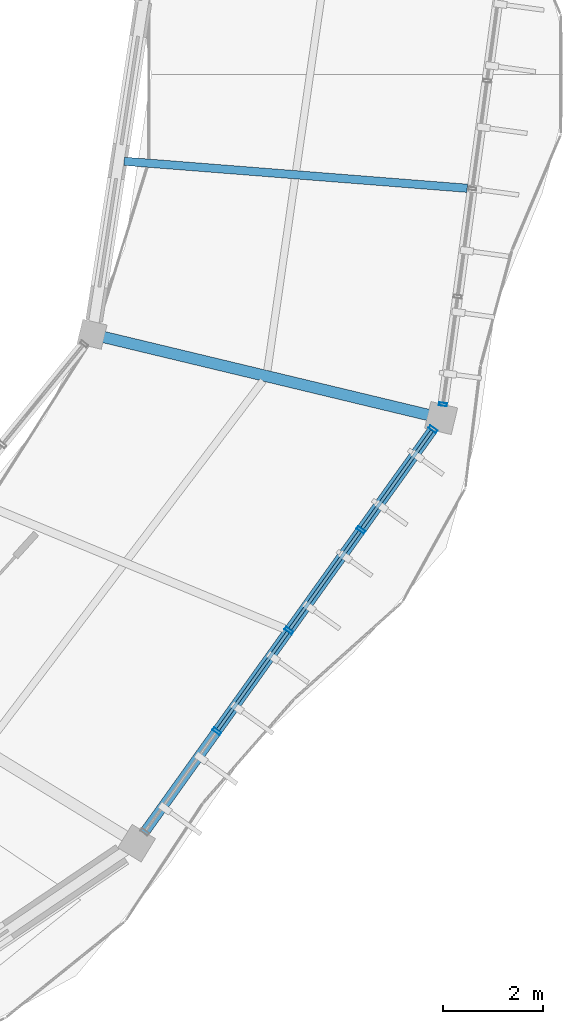
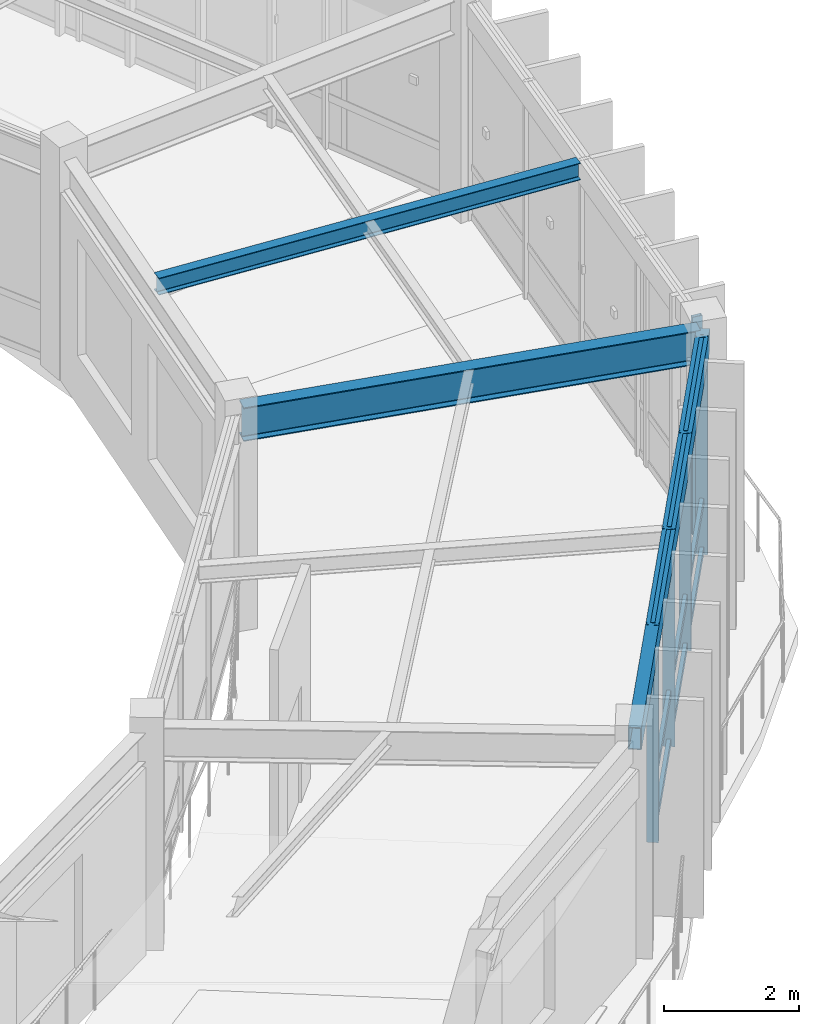
# One storey, part 50 of 79: 14 members, 3 beams, 2 elements without a shape of their own.
"""IFC4 building model written with IfcOpenShell, lengths in metres."""

from ifc_helpers import new_model, si_unit, direction, frame, origin, origin_2d, place, context, subcontext, project, spatial, hollow_rectangle, i_section, extrude, material, material_profile, profile_set, type_object, element, aggregate, save


model = new_model("IFC4")

# Units and contexts
model_context = context("Model", 3, precision=1e-05, world=origin(), true_north=direction((0.0, 1.0)))
body_context = subcontext(model_context, "Body", "Model", "MODEL_VIEW")
ifc_project = project(units=[si_unit("LENGTHUNIT", "METRE"), si_unit("AREAUNIT", "SQUARE_METRE"), si_unit("VOLUMEUNIT", "CUBIC_METRE"), si_unit("PLANEANGLEUNIT", "RADIAN"), si_unit("MASSUNIT", "GRAM", prefix="KILO"), si_unit("THERMODYNAMICTEMPERATUREUNIT", "KELVIN"), si_unit("POWERUNIT", "WATT")], contexts=[model_context])

# Site, building, storey
site_placement = place(None, origin())
site = spatial("IfcSite", under=ifc_project, at=site_placement, CompositionType="ELEMENT")
building_placement = place(site_placement, origin())
building = spatial("IfcBuilding", under=site, at=building_placement, Name="Darbajah Civic Hall", CompositionType="ELEMENT")
storey_placement = place(building_placement, frame((0.0, 0.0, 22.199951171875)))
storey = spatial("IfcBuildingStorey", under=building, at=storey_placement, Name="L05", CompositionType="ELEMENT", Elevation=22.199951171875)

# Curtain wall, member
ifc_material_1 = material(Name="Anodised Bronze Aluminium and Low-E Glazing", Category="aluminium")
curtain_wall_type_1 = type_object("IfcCurtainWallType", Name="Unitised Curtain Wall CW-76 8700x3900", PredefinedType="USERDEFINED", material=ifc_material_1)
curtain_wall_1_placement = place(storey_placement, origin())
curtain_wall_1 = element("IfcCurtainWall", 1, at=curtain_wall_1_placement, inside=storey, type_object=curtain_wall_type_1, Name="L05 unitised curtain wall CW-V1O-L05-19", ObjectType="UNITISED CURTAIN WALL", PredefinedType="USERDEFINED")
ifc_material_2 = material(Name="Anodised Bronze Aluminium", Category="aluminium")
ifc_material_profile_1 = material_profile(ifc_material_2, hollow_rectangle(XDim=0.06005859375, YDim=0.159912109375, WallThickness=0.00341796875, at=origin_2d()), Name="ALU MULLION 60x160")
ifc_profile_set_1 = profile_set([ifc_material_profile_1], Name="Anodised Bronze Aluminium")
member_type_1 = type_object("IfcMemberType", Name="ALU MULLION 60x160", PredefinedType="MULLION", material=ifc_profile_set_1)
member_1_placement = place(storey_placement, frame((138.728271484375, 83.18798828125, 0.0), z_axis=(0.0, 0.0, 1.0), x_axis=(0.134850930274, 0.990865897387, 0.0)))
member_1 = element("IfcMember", 2, at=member_1_placement, type_object=member_type_1, Name="CW-V1O-L05-19 mullion 1", PredefinedType="MULLION", context=body_context, shape_type="SweptSolid", body=[
    extrude(hollow_rectangle(XDim=0.06005859375, YDim=0.159912109375, WallThickness=0.00341796875, at=origin_2d()), origin(), (0.0, 0.0, 1.0), 3.920166015625),
])
aggregate(curtain_wall_1, [member_1])

# Curtain wall, members
curtain_wall_type_2 = type_object("IfcCurtainWallType", Name="Unitised Curtain Wall CW-74 9900x3900", PredefinedType="USERDEFINED", material=ifc_material_1)
curtain_wall_2_placement = place(storey_placement, origin())
curtain_wall_2 = element("IfcCurtainWall", 3, at=curtain_wall_2_placement, inside=storey, type_object=curtain_wall_type_2, Name="L05 unitised curtain wall CW-V1O-L05-18", ObjectType="UNITISED CURTAIN WALL", PredefinedType="USERDEFINED")
ifc_material_profile_2 = material_profile(ifc_material_2, hollow_rectangle(XDim=0.06494140625, YDim=0.179931640625, WallThickness=0.00390625, at=origin_2d()), Name="ALU MULLION 65x180")
ifc_profile_set_2 = profile_set([ifc_material_profile_2], Name="Anodised Bronze Aluminium")
member_type_2 = type_object("IfcMemberType", Name="ALU MULLION 65x180", PredefinedType="MULLION", material=ifc_profile_set_2)
member_2_placement = place(storey_placement, frame((134.19189453125, 76.630615234375, 0.0), z_axis=(0.0, 0.0, 1.0), x_axis=(0.582264874145, 0.812999149039, 0.0)))
member_2 = element("IfcMember", 4, at=member_2_placement, type_object=member_type_2, Name="CW-V1O-L05-18 mullion 2", PredefinedType="MULLION", context=body_context, shape_type="SweptSolid", body=[
    extrude(hollow_rectangle(XDim=0.06494140625, YDim=0.179931640625, WallThickness=0.00390625, at=origin_2d()), origin(), (0.0, 0.0, 1.0), 3.920166015625),
])
member_3_placement = place(storey_placement, frame((135.6376953125, 78.64990234375, 0.0), z_axis=(0.0, 0.0, 1.0), x_axis=(0.582264874145, 0.812999149039, 0.0)))
member_3 = element("IfcMember", 5, at=member_3_placement, type_object=member_type_2, Name="CW-V1O-L05-18 mullion 3", PredefinedType="MULLION", context=body_context, shape_type="SweptSolid", body=[
    extrude(hollow_rectangle(XDim=0.06494140625, YDim=0.179931640625, WallThickness=0.00390625, at=origin_2d()), origin(), (0.0, 0.0, 1.0), 3.920166015625),
])
member_4_placement = place(storey_placement, frame((137.083740234375, 80.6689453125, 0.0), z_axis=(0.0, 0.0, 1.0), x_axis=(0.582264874145, 0.812999149039, 0.0)))
member_4 = element("IfcMember", 6, at=member_4_placement, type_object=member_type_2, Name="CW-V1O-L05-18 mullion 4", PredefinedType="MULLION", context=body_context, shape_type="SweptSolid", body=[
    extrude(hollow_rectangle(XDim=0.06494140625, YDim=0.179931640625, WallThickness=0.00390625, at=origin_2d()), origin(), (0.0, 0.0, 1.0), 3.920166015625),
])
member_5_placement = place(storey_placement, frame((138.529541015625, 82.688232421875, 0.0), z_axis=(0.0, 0.0, 1.0), x_axis=(0.582264874145, 0.812999149039, 0.0)))
member_5 = element("IfcMember", 7, at=member_5_placement, type_object=member_type_2, Name="CW-V1O-L05-18 mullion 5", PredefinedType="MULLION", context=body_context, shape_type="SweptSolid", body=[
    extrude(hollow_rectangle(XDim=0.06494140625, YDim=0.179931640625, WallThickness=0.00390625, at=origin_2d()), origin(), (0.0, 0.0, 1.0), 3.920166015625),
])
ifc_material_profile_3 = material_profile(ifc_material_2, hollow_rectangle(XDim=0.06494140625, YDim=0.139892578125, WallThickness=0.00341796875, at=origin_2d()), Name="ALU TRANSOM 65x140")
ifc_profile_set_3 = profile_set([ifc_material_profile_3], Name="Anodised Bronze Aluminium")
member_type_3 = type_object("IfcMemberType", Name="ALU TRANSOM 65x140", PredefinedType="USERDEFINED", material=ifc_profile_set_3)
member_6_placement = place(storey_placement, frame((134.213623046875, 76.6611328125, 0.070068359375), z_axis=(0.582225363718, 0.813027444705, 0.0), x_axis=(-0.813027444705, 0.582225363718, 0.0)))
member_6 = element("IfcMember", 8, at=member_6_placement, type_object=member_type_3, Name="CW-V1O-L05-18 transom 2.1", ObjectType="TRANSOM", PredefinedType="USERDEFINED", context=body_context, shape_type="SweptSolid", body=[
    extrude(hollow_rectangle(XDim=0.06494140625, YDim=0.139892578125, WallThickness=0.00341796875, at=origin_2d()), origin(), (0.0, 0.0, 1.0), 2.40869140625),
])
member_7_placement = place(storey_placement, frame((134.213623046875, 76.6611328125, 0.949951171875), z_axis=(0.582225363718, 0.813027444705, 0.0), x_axis=(-0.813027444705, 0.582225363718, 0.0)))
member_7 = element("IfcMember", 9, at=member_7_placement, type_object=member_type_3, Name="CW-V1O-L05-18 transom 2.2", ObjectType="TRANSOM", PredefinedType="USERDEFINED", context=body_context, shape_type="SweptSolid", body=[
    extrude(hollow_rectangle(XDim=0.06494140625, YDim=0.139892578125, WallThickness=0.00341796875, at=origin_2d()), origin(), (0.0, 0.0, 1.0), 2.40869140625),
])
member_8_placement = place(storey_placement, frame((134.213623046875, 76.6611328125, 3.85009765625), z_axis=(0.582225363718, 0.813027444705, 0.0), x_axis=(-0.813027444705, 0.582225363718, 0.0)))
member_8 = element("IfcMember", 10, at=member_8_placement, type_object=member_type_3, Name="CW-V1O-L05-18 transom 2.3", ObjectType="TRANSOM", PredefinedType="USERDEFINED", context=body_context, shape_type="SweptSolid", body=[
    extrude(hollow_rectangle(XDim=0.06494140625, YDim=0.139892578125, WallThickness=0.00341796875, at=origin_2d()), origin(), (0.0, 0.0, 1.0), 2.40869140625),
])
member_9_placement = place(storey_placement, frame((135.65966796875, 78.680419921875, 0.070068359375), z_axis=(0.582206340382, 0.813041067363, 0.0), x_axis=(-0.813041067363, 0.582206340382, 0.0)))
member_9 = element("IfcMember", 11, at=member_9_placement, type_object=member_type_3, Name="CW-V1O-L05-18 transom 3.1", ObjectType="TRANSOM", PredefinedType="USERDEFINED", context=body_context, shape_type="SweptSolid", body=[
    extrude(hollow_rectangle(XDim=0.06494140625, YDim=0.139892578125, WallThickness=0.00341796875, at=origin_2d()), origin(), (0.0, 0.0, 1.0), 2.408203125),
])
member_10_placement = place(storey_placement, frame((135.65966796875, 78.680419921875, 0.949951171875), z_axis=(0.582206340382, 0.813041067363, 0.0), x_axis=(-0.813041067363, 0.582206340382, 0.0)))
member_10 = element("IfcMember", 12, at=member_10_placement, type_object=member_type_3, Name="CW-V1O-L05-18 transom 3.2", ObjectType="TRANSOM", PredefinedType="USERDEFINED", context=body_context, shape_type="SweptSolid", body=[
    extrude(hollow_rectangle(XDim=0.06494140625, YDim=0.139892578125, WallThickness=0.00341796875, at=origin_2d()), origin(), (0.0, 0.0, 1.0), 2.408203125),
])
member_11_placement = place(storey_placement, frame((135.65966796875, 78.680419921875, 3.85009765625), z_axis=(0.582206340382, 0.813041067363, 0.0), x_axis=(-0.813041067363, 0.582206340382, 0.0)))
member_11 = element("IfcMember", 13, at=member_11_placement, type_object=member_type_3, Name="CW-V1O-L05-18 transom 3.3", ObjectType="TRANSOM", PredefinedType="USERDEFINED", context=body_context, shape_type="SweptSolid", body=[
    extrude(hollow_rectangle(XDim=0.06494140625, YDim=0.139892578125, WallThickness=0.00341796875, at=origin_2d()), origin(), (0.0, 0.0, 1.0), 2.408203125),
])
member_12_placement = place(storey_placement, frame((137.10546875, 80.699462890625, 0.070068359375), z_axis=(0.582225363718, 0.813027444705, 0.0), x_axis=(-0.813027444705, 0.582225363718, 0.0)))
member_12 = element("IfcMember", 14, at=member_12_placement, type_object=member_type_3, Name="CW-V1O-L05-18 transom 4.1", ObjectType="TRANSOM", PredefinedType="USERDEFINED", context=body_context, shape_type="SweptSolid", body=[
    extrude(hollow_rectangle(XDim=0.06494140625, YDim=0.139892578125, WallThickness=0.00341796875, at=origin_2d()), origin(), (0.0, 0.0, 1.0), 2.40869140625),
])
member_13_placement = place(storey_placement, frame((137.10546875, 80.699462890625, 0.949951171875), z_axis=(0.582225363718, 0.813027444705, 0.0), x_axis=(-0.813027444705, 0.582225363718, 0.0)))
member_13 = element("IfcMember", 15, at=member_13_placement, type_object=member_type_3, Name="CW-V1O-L05-18 transom 4.2", ObjectType="TRANSOM", PredefinedType="USERDEFINED", context=body_context, shape_type="SweptSolid", body=[
    extrude(hollow_rectangle(XDim=0.06494140625, YDim=0.139892578125, WallThickness=0.00341796875, at=origin_2d()), origin(), (0.0, 0.0, 1.0), 2.40869140625),
])
member_14_placement = place(storey_placement, frame((137.10546875, 80.699462890625, 3.85009765625), z_axis=(0.582225363718, 0.813027444705, 0.0), x_axis=(-0.813027444705, 0.582225363718, 0.0)))
member_14 = element("IfcMember", 16, at=member_14_placement, type_object=member_type_3, Name="CW-V1O-L05-18 transom 4.3", ObjectType="TRANSOM", PredefinedType="USERDEFINED", context=body_context, shape_type="SweptSolid", body=[
    extrude(hollow_rectangle(XDim=0.06494140625, YDim=0.139892578125, WallThickness=0.00341796875, at=origin_2d()), origin(), (0.0, 0.0, 1.0), 2.40869140625),
])
aggregate(curtain_wall_2, [member_2, member_3, member_4, member_5, member_6, member_7, member_8, member_9, member_10, member_11, member_12, member_13, member_14])

# Beams
ifc_material_3 = material(Name="Steel S355JR", Category="steel")
ifc_material_profile_4 = material_profile(ifc_material_3, hollow_rectangle(XDim=0.199951171875, YDim=0.39990234375, WallThickness=0.013916015625, at=origin_2d()), Name="RHS 400x200x14")
ifc_profile_set_4 = profile_set([ifc_material_profile_4], Name="Steel S355JR")
beam_type_1 = type_object("IfcBeamType", Name="RHS 400x200x14", PredefinedType="SPANDREL", material=ifc_profile_set_4)
beam_1_placement = place(storey_placement, frame((132.631103515625, 74.451416015625, 3.719970703125), z_axis=(0.58222165068, 0.813030103674, 0.0), x_axis=(-0.813030103674, 0.58222165068, 0.0)))
element("IfcBeam", 17, at=beam_1_placement, inside=storey, type_object=beam_type_1, Name="L05 beam SP-RHS400", PredefinedType="SPANDREL", context=body_context, shape_type="SweptSolid", body=[
    extrude(hollow_rectangle(XDim=0.199951171875, YDim=0.39990234375, WallThickness=0.013916015625, at=origin_2d()), origin(), (0.0, 0.0, 1.0), 10.327880859375),
])
ifc_material_profile_5 = material_profile(ifc_material_3, i_section(OverallWidth=0.165771484375, OverallDepth=0.306640625, WebThickness=0.006591796875, FlangeThickness=0.01171875, FilletRadius=0.0087890625, at=origin_2d()), Name="UB 305x165x46")
ifc_profile_set_5 = profile_set([ifc_material_profile_5], Name="Steel S355JR")
beam_type_2 = type_object("IfcBeamType", Name="UB 305x165x46", PredefinedType="JOIST", material=ifc_profile_set_5)
beam_2_placement = place(storey_placement, frame((132.3330078125, 88.063720703125, 3.766845703125), z_axis=(0.996916012499, -0.078475881788, 0.0), x_axis=(0.078475881788, 0.996916012499, 0.0)))
element("IfcBeam", 18, at=beam_2_placement, inside=storey, type_object=beam_type_2, Name="L05 beam SJ-305", PredefinedType="JOIST", context=body_context, shape_type="SweptSolid", body=[
    extrude(i_section(OverallWidth=0.165771484375, OverallDepth=0.306640625, WebThickness=0.006591796875, FlangeThickness=0.01171875, FilletRadius=0.0087890625, at=origin_2d()), origin(), (0.0, 0.0, 1.0), 6.9033203125),
])
ifc_material_profile_6 = material_profile(ifc_material_3, i_section(OverallWidth=0.228271484375, OverallDepth=0.607666015625, WebThickness=0.010986328125, FlangeThickness=0.017333984375, FilletRadius=0.0126953125, at=origin_2d()), Name="UB 610x229x113")
ifc_profile_set_6 = profile_set([ifc_material_profile_6], Name="Steel S355JR")
beam_type_3 = type_object("IfcBeamType", Name="UB 610x229x113", PredefinedType="BEAM", material=ifc_profile_set_6)
beam_3_placement = place(storey_placement, frame((131.767578125, 84.575439453125, 3.6162109375), z_axis=(0.972374394108, -0.233426728726, 0.0), x_axis=(0.233426728726, 0.972374394108, 0.0)))
element("IfcBeam", 19, at=beam_3_placement, inside=storey, type_object=beam_type_3, Name="L05 beam SB-610", PredefinedType="BEAM", context=body_context, shape_type="SweptSolid", body=[
    extrude(i_section(OverallWidth=0.228271484375, OverallDepth=0.607666015625, WebThickness=0.010986328125, FlangeThickness=0.017333984375, FilletRadius=0.0126953125, at=origin_2d()), origin(), (0.0, 0.0, 1.0), 7.0400390625),
])

save(model, "model.ifc")
